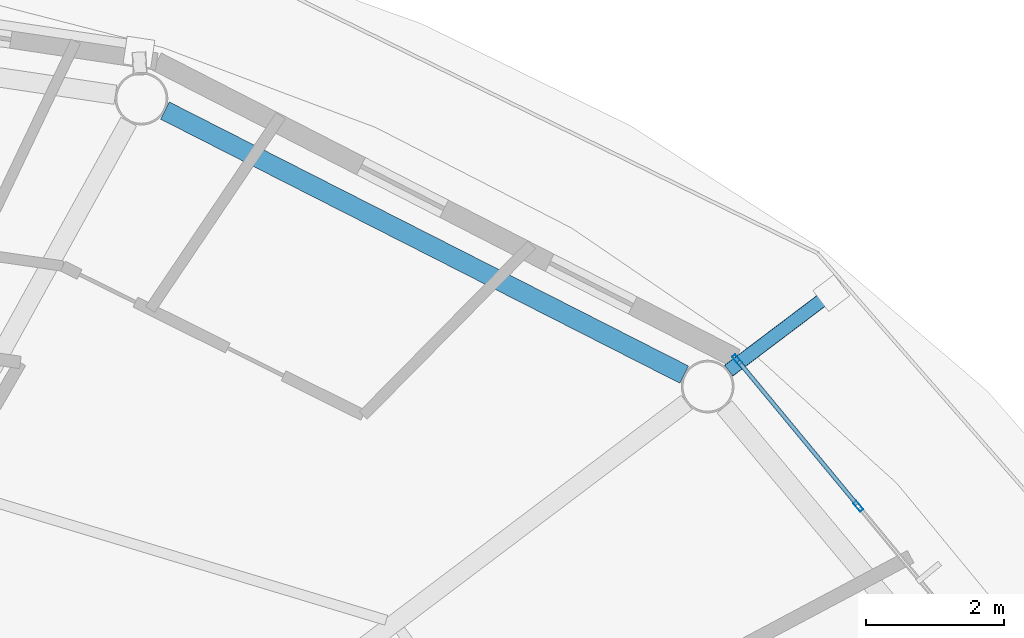
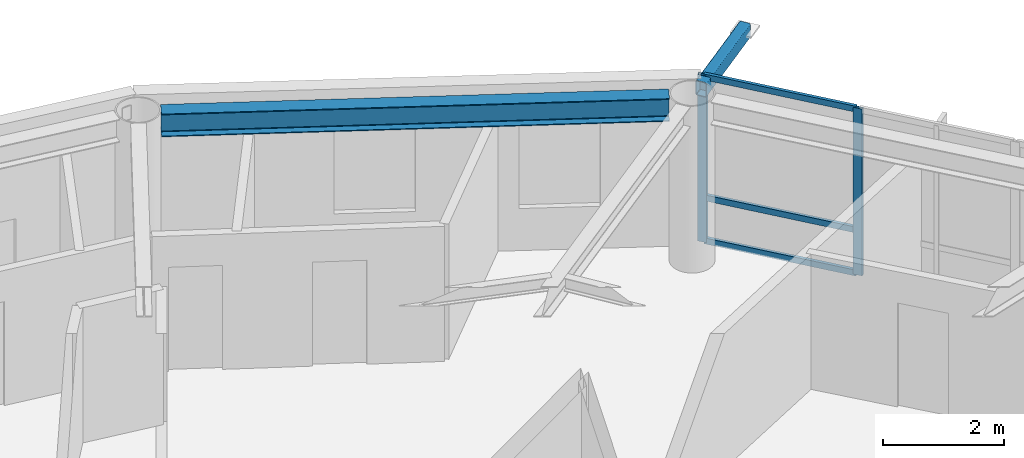
# One storey, part 11 of 22: 6 members, 1 beam, 1 element without a shape of its own.
"""IFC4 building model written with IfcOpenShell, lengths in metres."""

import ifcopenshell
import ifcopenshell.guid

model = None  # the IFC model being written
_history = None  # IfcOwnerHistory: only IFC2X3 demands one
_inside = {}  # id of a spatial element -> (the spatial element, [elements in it])
_under = {}  # id of a project, library or spatial element -> (it, [spatial elements below it])
_declared = {}  # id of a project -> (the project, [libraries it declares])
_typed = {}  # id of a type object -> (the type object, [elements of that type])
_made_of = {}  # id of a material, layer set ... -> (it, [elements and type objects made of it])


def new_model(schema):
    """Start an empty IFC model of exactly this schema.

    Asked for "IFC4X3", IfcOpenShell would pick the latest addendum, in which some entities
    have other attributes; the version numbers below select the first issue.
    IFC2X3 requires an IfcOwnerHistory on every rooted entity: one is made here for all.
    """
    global model, _history
    if schema == "IFC4X3":
        model = ifcopenshell.file(schema_version=(4, 3, 0, 0))
    else:
        model = ifcopenshell.file(schema=schema)
    _inside.clear()
    _under.clear()
    _declared.clear()
    _typed.clear()
    _made_of.clear()
    _history = None
    if model.schema == "IFC2X3":
        org = make("IfcOrganization", Name="unknown")
        user = make(
            "IfcPersonAndOrganization",
            ThePerson=make("IfcPerson", FamilyName="unknown"),
            TheOrganization=org,
        )
        app = make(
            "IfcApplication",
            ApplicationDeveloper=org,
            Version="unknown",
            ApplicationFullName="unknown",
            ApplicationIdentifier="unknown",
        )
        _history = make(
            "IfcOwnerHistory",
            OwningUser=user,
            OwningApplication=app,
            ChangeAction="ADDED",
            CreationDate=0,
        )
    return model


def make(cls, **values):
    """One entity of the class cls with the attributes given. An attribute that is None is left unset."""
    return model.create_entity(
        cls, **{name: value for name, value in values.items() if value is not None}
    )


def rooted(cls, **values):
    """An entity with a GlobalId (a new one), such as an element, a storey or a relation."""
    return make(cls, GlobalId=ifcopenshell.guid.new(), OwnerHistory=_history, **values)


def si_unit(unit_type, name, prefix=None):
    """IfcSIUnit, for example si_unit("LENGTHUNIT", "METRE", prefix="MILLI")."""
    return make("IfcSIUnit", UnitType=unit_type, Prefix=prefix, Name=name)


def assignment(units):
    """IfcUnitAssignment: the units of a project."""
    return None if units is None else make("IfcUnitAssignment", Units=units)


def point(xyz):
    """IfcCartesianPoint."""
    return None if xyz is None else make("IfcCartesianPoint", Coordinates=xyz)


def direction(xyz):
    """IfcDirection."""
    return None if xyz is None else make("IfcDirection", DirectionRatios=xyz)


def frame(location, z_axis=None, x_axis=None):
    """IfcAxis2Placement3D, a coordinate frame: its origin and axes. An axis left out is left unset."""
    return make(
        "IfcAxis2Placement3D",
        Location=point(location),
        Axis=direction(z_axis),
        RefDirection=direction(x_axis),
    )


def frame_2d(location, x_axis=None):
    """IfcAxis2Placement2D, a coordinate frame in the plane: its origin and x axis."""
    return make(
        "IfcAxis2Placement2D", Location=point(location), RefDirection=direction(x_axis)
    )


def origin():
    """The frame at (0, 0, 0) with its axes left unset."""
    return frame((0.0, 0.0, 0.0))


def origin_2d():
    """The frame at (0, 0) in the plane with its x axis left unset."""
    return frame_2d((0.0, 0.0))


def place(relative_to, where):
    """IfcLocalPlacement: puts the frame where relative to a parent placement (None: the world)."""
    return make(
        "IfcLocalPlacement", PlacementRelTo=relative_to, RelativePlacement=where
    )


def context(
    kind, dimensions, precision=None, world=None, true_north=None, identifier=None
):
    """IfcGeometricRepresentationContext, for example the 3D "Model" context."""
    return make(
        "IfcGeometricRepresentationContext",
        ContextIdentifier=identifier,
        ContextType=kind,
        CoordinateSpaceDimension=dimensions,
        Precision=precision,
        WorldCoordinateSystem=world,
        TrueNorth=true_north,
    )


def subcontext(parent, identifier, kind, view, scale=None):
    """IfcGeometricRepresentationSubContext, for example "Body" below "Model"."""
    return make(
        "IfcGeometricRepresentationSubContext",
        ContextIdentifier=identifier,
        ContextType=kind,
        ParentContext=parent,
        TargetScale=scale,
        TargetView=view,
    )


def project(units=None, contexts=None):
    """IfcProject with its units and contexts."""
    return rooted(
        "IfcProject",
        Name="project",
        RepresentationContexts=contexts,
        UnitsInContext=assignment(units),
    )


def spatial(cls, under=None, at=None, **own):
    """A site, building, storey or space (cls), placed at a placement, below another one or the project."""
    s = rooted(cls, ObjectPlacement=at, **own)
    if under is not None:
        _under.setdefault(under.id(), (under, []))[1].append(s)
    return s


def profile(cls, at=None, kind="AREA", **sizes):
    """A parametric profile (cls). Its sizes go by their IFC names, for example OverallWidth=200.0."""
    return make(cls, ProfileType=kind, Position=at, **sizes)


def hollow_rectangle(**sizes):
    """IfcRectangleHollowProfileDef."""
    return profile("IfcRectangleHollowProfileDef", **sizes)


def i_section(**sizes):
    """IfcIShapeProfileDef."""
    return profile("IfcIShapeProfileDef", **sizes)


def extrude(swept, where, along, depth):
    """IfcExtrudedAreaSolid: the profile swept, set in the frame where, extruded along a direction by depth."""
    return make(
        "IfcExtrudedAreaSolid",
        SweptArea=swept,
        Position=where,
        ExtrudedDirection=direction(along),
        Depth=depth,
    )


def shape(context_of_items, identifier, shape_type, items):
    """IfcShapeRepresentation: the items that make up one representation, for example the "Body"."""
    return make(
        "IfcShapeRepresentation",
        ContextOfItems=context_of_items,
        RepresentationIdentifier=identifier,
        RepresentationType=shape_type,
        Items=items,
    )


def material(Name=None, Category=None):
    """IfcMaterial."""
    return make("IfcMaterial", Name=Name, Category=Category)


def layer(
    of_material, thickness, ventilated=None, Name=None, Category=None, Priority=None
):
    """IfcMaterialLayer: one layer of a wall or slab, of a material (None: an air gap)."""
    return make(
        "IfcMaterialLayer",
        Material=of_material,
        LayerThickness=thickness,
        IsVentilated=ventilated,
        Name=Name,
        Category=Category,
        Priority=Priority,
    )


def layer_set(layers, Name=None):
    """IfcMaterialLayerSet."""
    return make("IfcMaterialLayerSet", MaterialLayers=layers, LayerSetName=Name)


def material_profile(
    of_material, cross_section, Name=None, Category=None, Priority=None
):
    """IfcMaterialProfile: a cross section and its material."""
    return make(
        "IfcMaterialProfile",
        Name=Name,
        Material=of_material,
        Profile=cross_section,
        Priority=Priority,
        Category=Category,
    )


def profile_set(profiles, Name=None, composite=None):
    """IfcMaterialProfileSet."""
    return make(
        "IfcMaterialProfileSet",
        Name=Name,
        MaterialProfiles=profiles,
        CompositeProfile=composite,
    )


def made_of(thing, what):
    """Note that an element or type object is made of a material, layer set ...; save() writes the relation."""
    if what is not None:
        _made_of.setdefault(what.id(), (what, []))[1].append(thing)
    return thing


def type_object(cls, material=None, **own):
    """A type object (cls), such as IfcWallType, which elements share."""
    return made_of(rooted(cls, **own), material)


def element(
    cls,
    number,
    at=None,
    inside=None,
    cuts=None,
    type_object=None,
    material=None,
    context=None,
    identifier="Body",
    shape_type=None,
    held_by="IfcProductDefinitionShape",
    body=None,
    shapes=None,
    **own,
):
    """One element of the class cls, such as IfcWall. Its Tag is "e" and its number.

    at: its placement. inside: the storey or other place that contains it. cuts: it is an
    opening in that element (IfcRelVoidsElement). A single representation is given by context,
    identifier, shape_type and body (its items); several are given by shapes. held_by: the class
    of the entity that holds the representations. save() writes the other relations.
    """
    e = rooted(cls, Tag="e%d" % number, ObjectPlacement=at, **own)
    if body is not None:
        shapes = [shape(context, identifier, shape_type, body)]
    if shapes is not None:
        e.Representation = make(held_by, Representations=shapes)
    if inside is not None:
        _inside.setdefault(inside.id(), (inside, []))[1].append(e)
    if cuts is not None:
        rooted(
            "IfcRelVoidsElement", RelatingBuildingElement=cuts, RelatedOpeningElement=e
        )
    if type_object is not None:
        _typed.setdefault(type_object.id(), (type_object, []))[1].append(e)
    return made_of(e, material)


def aggregate(whole, parts):
    """IfcRelAggregates: a whole, such as a stair, and the parts it consists of."""
    return rooted("IfcRelAggregates", RelatingObject=whole, RelatedObjects=parts)


def save(model, path):
    """Write the relations noted so far, then the file.

    IfcRelAggregates (storeys below a building ...), IfcRelContainedInSpatialStructure (elements
    in a storey), IfcRelDefinesByType, IfcRelAssociatesMaterial and IfcRelDeclares: one each for
    every whole, place, type object, material and project.
    """
    for whole, parts in _under.values():
        aggregate(whole, parts)
    for where, things in _inside.values():
        rooted(
            "IfcRelContainedInSpatialStructure",
            RelatedElements=things,
            RelatingStructure=where,
        )
    for kind, things in _typed.values():
        rooted("IfcRelDefinesByType", RelatedObjects=things, RelatingType=kind)
    for what, things in _made_of.values():
        rooted("IfcRelAssociatesMaterial", RelatedObjects=things, RelatingMaterial=what)
    for by, libraries in _declared.values():
        rooted("IfcRelDeclares", RelatingContext=by, RelatedDefinitions=libraries)
    model.write(path)


model = new_model("IFC4")

# Units and contexts
model_context = context("Model", 3, precision=1e-05, world=origin(), true_north=direction((0.0, 1.0)))
body_context = subcontext(model_context, "Body", "Model", "MODEL_VIEW")
ifc_project = project(units=[si_unit("LENGTHUNIT", "METRE"), si_unit("AREAUNIT", "SQUARE_METRE"), si_unit("VOLUMEUNIT", "CUBIC_METRE"), si_unit("PLANEANGLEUNIT", "RADIAN"), si_unit("MASSUNIT", "GRAM", prefix="KILO")], contexts=[model_context])

# Site, building, storey
site_placement = place(None, origin())
site = spatial("IfcSite", under=ifc_project, at=site_placement, CompositionType="ELEMENT")
building_placement = place(site_placement, origin())
building = spatial("IfcBuilding", under=site, at=building_placement, Name="Sarneth Arch Tower", CompositionType="ELEMENT")
storey_placement = place(building_placement, frame((0.0, 0.0, 283.800048828125)))
storey = spatial("IfcBuildingStorey", under=building, at=storey_placement, Name="L73", CompositionType="ELEMENT", Elevation=283.800048828125)

# Beam
ifc_material_1 = material(Name="Steel S355", Category="steel")
ifc_material_profile_1 = material_profile(ifc_material_1, i_section(OverallWidth=0.280029296875, OverallDepth=0.462890625, WebThickness=0.0107421875, FlangeThickness=0.017333984375, FilletRadius=0.01806640625, at=origin_2d()), Name="W460x113")
ifc_profile_set_1 = profile_set([ifc_material_profile_1], Name="Steel S355")
beam_type = type_object("IfcBeamType", Name="BM-RAD-460A", PredefinedType="BEAM", material=ifc_profile_set_1)
beam_placement = place(storey_placement, frame((65.635498046875, 55.749267578125, 3.138427734375), z_axis=(-0.891373613492, 0.453269325204, 0.0), x_axis=(-0.453269325204, -0.891373613492, 0.0)))
element("IfcBeam", 1, at=beam_placement, inside=storey, type_object=beam_type, Name="L73 Perimeter spandrel beam 03", PredefinedType="BEAM", context=body_context, shape_type="SweptSolid", body=[
    extrude(i_section(OverallWidth=0.280029296875, OverallDepth=0.462890625, WebThickness=0.0107421875, FlangeThickness=0.017333984375, FilletRadius=0.01806640625, at=origin_2d()), origin(), (0.0, 0.0, 1.0), 8.419677734375),
])

# Curtain wall, members
ifc_material_2 = material(Name="Anodised aluminium Type AA25 and solar-control low-e laminated IGU", Category="aluminium")
ifc_layer = layer(ifc_material_2, 0.179931640625)
ifc_layer_set = layer_set([ifc_layer], Name="Anodised aluminium Type AA25 and solar-control low-e laminated IGU")
curtain_wall_type = type_object("IfcCurtainWallType", Name="CW-RES-HIGH", PredefinedType="NOTDEFINED", material=ifc_layer_set)
curtain_wall_placement = place(storey_placement, origin())
curtain_wall = element("IfcCurtainWall", 2, at=curtain_wall_placement, inside=storey, type_object=curtain_wall_type, Name="L73 Unitised curtain wall facet 02", PredefinedType="NOTDEFINED")
ifc_material_3 = material(Name="Anodised Aluminium 6063-T6", Category="aluminium")
ifc_material_profile_2 = material_profile(ifc_material_3, hollow_rectangle(XDim=0.06005859375, YDim=0.159912109375, WallThickness=0.00390625, at=origin_2d()), Name="AL-MULL-160x60x4")
ifc_profile_set_2 = profile_set([ifc_material_profile_2], Name="Anodised Aluminium 6063-T6")
member_type_1 = type_object("IfcMemberType", Name="CW-MULLION", PredefinedType="MULLION", material=ifc_profile_set_2)
member_1_placement = place(storey_placement, frame((68.15283203125, 53.84765625, 0.0), z_axis=(0.0, 0.0, 1.0), x_axis=(-0.770359245933, -0.637610094184, 0.0)))
member_1 = element("IfcMember", 3, at=member_1_placement, type_object=member_type_1, Name="CW-SYS-6 mullion 3", PredefinedType="MULLION", context=body_context, shape_type="SweptSolid", body=[
    extrude(hollow_rectangle(XDim=0.06005859375, YDim=0.159912109375, WallThickness=0.00390625, at=origin_2d()), origin(), (0.0, 0.0, 1.0), 3.369873046875),
])
member_2_placement = place(storey_placement, frame((66.401611328125, 55.96337890625, 0.0), z_axis=(0.0, 0.0, 1.0), x_axis=(-0.770359245933, -0.637610094184, 0.0)))
member_2 = element("IfcMember", 4, at=member_2_placement, type_object=member_type_1, Name="CW-SYS-6 mullion 4", PredefinedType="MULLION", context=body_context, shape_type="SweptSolid", body=[
    extrude(hollow_rectangle(XDim=0.06005859375, YDim=0.159912109375, WallThickness=0.00390625, at=origin_2d()), origin(), (0.0, 0.0, 1.0), 3.369873046875),
])
ifc_material_4 = material(Name="Anodised Aluminium 6063-T6", Category="aluminium")
ifc_material_profile_3 = material_profile(ifc_material_4, hollow_rectangle(XDim=0.06005859375, YDim=0.1201171875, WallThickness=0.00390625, at=origin_2d()), Name="AL-TRAN-120x60x4")
ifc_profile_set_3 = profile_set([ifc_material_profile_3], Name="Anodised Aluminium 6063-T6")
member_type_2 = type_object("IfcMemberType", Name="CW-TRANSOM", PredefinedType="USERDEFINED", material=ifc_profile_set_3)
member_3_placement = place(storey_placement, frame((68.1337890625, 53.87060546875, 0.030029296875), z_axis=(-0.637606765719, 0.770362000821, 0.0), x_axis=(-0.770362000821, -0.637606765719, 0.0)))
member_3 = element("IfcMember", 5, at=member_3_placement, type_object=member_type_2, Name="CW-SYS-6 transom 3.1", ObjectType="TRANSOM", PredefinedType="USERDEFINED", context=body_context, shape_type="SweptSolid", body=[
    extrude(hollow_rectangle(XDim=0.06005859375, YDim=0.1201171875, WallThickness=0.00390625, at=origin_2d()), origin(), (0.0, 0.0, 1.0), 2.686767578125),
])
member_4_placement = place(storey_placement, frame((68.1337890625, 53.87060546875, 0.89990234375), z_axis=(-0.637606765719, 0.770362000821, 0.0), x_axis=(-0.770362000821, -0.637606765719, 0.0)))
member_4 = element("IfcMember", 6, at=member_4_placement, type_object=member_type_2, Name="CW-SYS-6 transom 3.2", ObjectType="TRANSOM", PredefinedType="USERDEFINED", context=body_context, shape_type="SweptSolid", body=[
    extrude(hollow_rectangle(XDim=0.06005859375, YDim=0.1201171875, WallThickness=0.00390625, at=origin_2d()), origin(), (0.0, 0.0, 1.0), 2.686767578125),
])
member_5_placement = place(storey_placement, frame((68.1337890625, 53.87060546875, 3.33984375), z_axis=(-0.637606765719, 0.770362000821, 0.0), x_axis=(-0.770362000821, -0.637606765719, 0.0)))
member_5 = element("IfcMember", 7, at=member_5_placement, type_object=member_type_2, Name="CW-SYS-6 transom 3.3", ObjectType="TRANSOM", PredefinedType="USERDEFINED", context=body_context, shape_type="SweptSolid", body=[
    extrude(hollow_rectangle(XDim=0.06005859375, YDim=0.1201171875, WallThickness=0.00390625, at=origin_2d()), origin(), (0.0, 0.0, 1.0), 2.686767578125),
])
aggregate(curtain_wall, [member_1, member_2, member_3, member_4, member_5])

# Member
ifc_material_5 = material(Name="Steel S355", Category="steel")
ifc_material_profile_4 = material_profile(ifc_material_5, hollow_rectangle(XDim=0.199951171875, YDim=0.300048828125, WallThickness=0.012451171875, InnerFilletRadius=0.018798828125, OuterFilletRadius=0.03125, at=origin_2d()), Name="RHS300x200x12.5")
ifc_profile_set_4 = profile_set([ifc_material_profile_4], Name="Steel S355")
member_type_3 = type_object("IfcMemberType", Name="MEM-CANT-STRUT", PredefinedType="STRUT", material=ifc_profile_set_4)
member_6_placement = place(storey_placement, frame((66.279296875, 55.80615234375, 3.2099609375), z_axis=(0.797978206351, 0.602686304962, 0.0), x_axis=(-0.602686304962, 0.797978206351, 0.0)))
element("IfcMember", 8, at=member_6_placement, inside=storey, type_object=member_type_3, Name="L73 Balcony cantilever bracket 03", PredefinedType="STRUT", context=body_context, shape_type="SweptSolid", body=[
    extrude(hollow_rectangle(XDim=0.199951171875, YDim=0.300048828125, WallThickness=0.012451171875, InnerFilletRadius=0.018798828125, OuterFilletRadius=0.03125, at=origin_2d()), origin(), (0.0, 0.0, 1.0), 1.85888671875),
])

save(model, "model.ifc")
